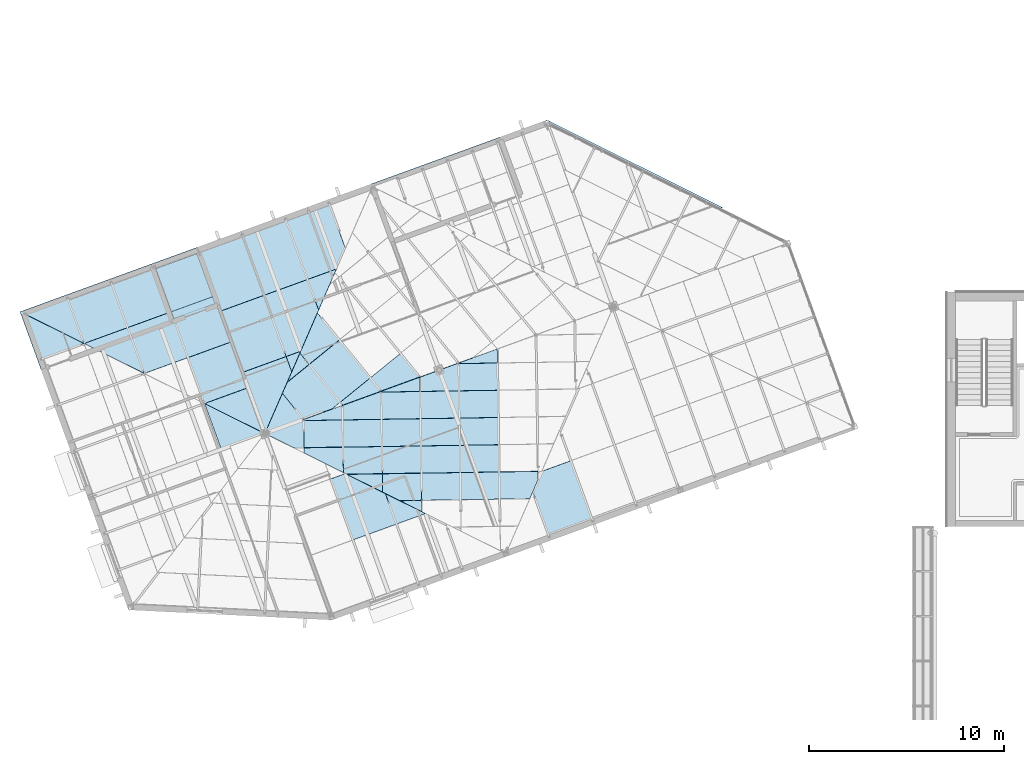
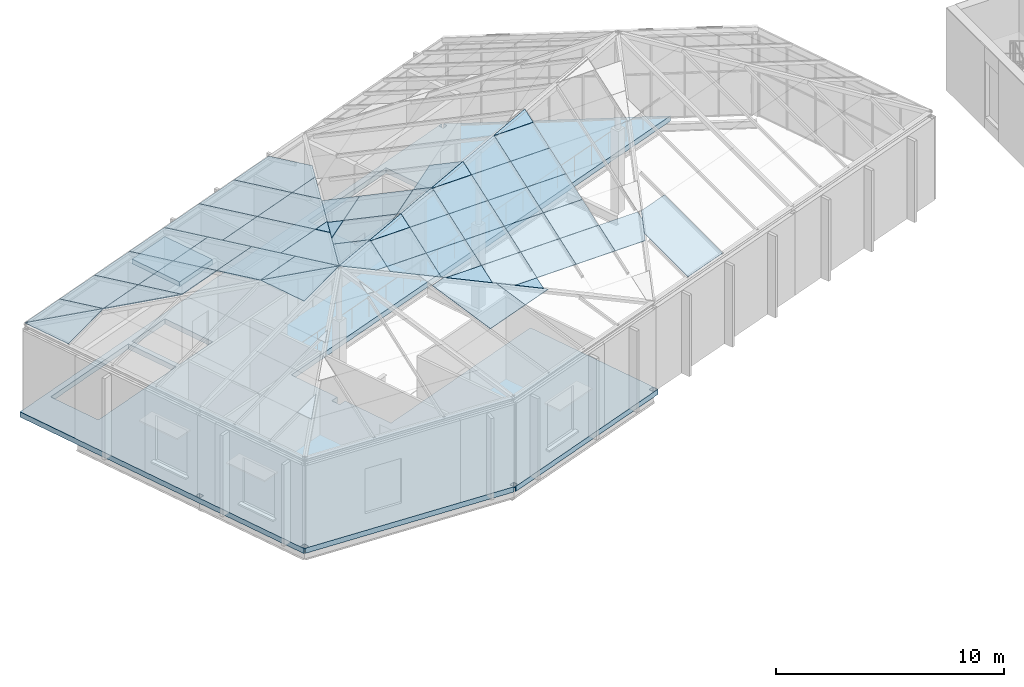
# One storey, part 40 of 95: 55 plates, 2 slabs.
"""IFC4 building model written with IfcOpenShell, lengths in metres."""

from ifc_helpers import new_model, si_unit, direction, frame, origin, place, context, subcontext, project, spatial, polyline, outline, extrude, material, layer, layer_set, type_object, element, save


model = new_model("IFC4")

# Units and contexts
model_context = context("Model", 3, precision=1e-05, world=origin(), true_north=direction((0.0, 1.0)))
body_context = subcontext(model_context, "Body", "Model", "MODEL_VIEW")
ifc_project = project(units=[si_unit("LENGTHUNIT", "METRE"), si_unit("AREAUNIT", "SQUARE_METRE"), si_unit("VOLUMEUNIT", "CUBIC_METRE"), si_unit("PLANEANGLEUNIT", "RADIAN"), si_unit("MASSUNIT", "GRAM", prefix="KILO")], contexts=[model_context])

# Site, building, storey
site_placement = place(None, origin())
site = spatial("IfcSite", under=ifc_project, at=site_placement, CompositionType="ELEMENT")
building_placement = place(site_placement, origin())
building = spatial("IfcBuilding", under=site, at=building_placement, Name="Windward Yard Aquatics Centre", CompositionType="ELEMENT")
storey_placement = place(building_placement, frame((0.0, 0.0, 9.39990234375)))
storey = spatial("IfcBuildingStorey", under=building, at=storey_placement, Name="L02", CompositionType="ELEMENT", Elevation=9.39990234375)

# Slabs
ifc_material_1 = material(Name="Concrete C40/50", Category="concrete")
ifc_layer_1 = layer(ifc_material_1, 0.280029296875)
ifc_layer_set_1 = layer_set([ifc_layer_1], Name="F floor slab 280 Concrete C40/50")
slab_type_1 = type_object("IfcSlabType", Name="F floor slab 280 Concrete C40/50", PredefinedType="FLOOR", material=ifc_layer_set_1)
slab_1_placement = place(storey_placement, frame((0.0, 0.0, -0.27978515625)))
element("IfcSlab", 1, at=slab_1_placement, inside=storey, type_object=slab_type_1, Name="F.SL.L02", PredefinedType="FLOOR", context=body_context, shape_type="SweptSolid", body=[
    extrude(outline(polyline([(4.533447265625, 94.98828125), (10.091064453125, 79.718505859375), (10.115966796875, 79.71728515625), (10.03515625, 79.939453125), (10.27392578125, 80.026123046875), (10.360595703125, 79.78759765625), (10.16162109375, 79.715087890625), (20.4111328125, 79.207763671875), (20.330322265625, 79.4296875), (20.569091796875, 79.5166015625), (20.656005859375, 79.278076171875), (20.456787109375, 79.20556640625), (20.51611328125, 79.20263671875), (29.612548828125, 82.513427734375), (27.11572265625, 89.373291015625), (18.188720703125, 86.1240234375), (17.290771484375, 88.5908203125), (16.9384765625, 88.46240234375), (16.784423828125, 88.88525390625), (17.136962890625, 89.013427734375), (16.239013671875, 91.480224609375), (40.529541015625, 100.3212890625), (31.597412109375, 104.7685546875), (31.669677734375, 104.5703125), (31.430908203125, 104.4833984375), (31.343994140625, 104.721923828125), (31.54443359375, 104.794921875), (31.51611328125, 104.80908203125), (4.533447265625, 94.98828125)]), holes=[polyline([(6.27099609375, 95.301513671875), (11.2373046875, 97.10888671875), (12.169189453125, 94.54833984375), (7.203125, 92.74072265625), (6.27099609375, 95.301513671875)]), polyline([(11.472412109375, 97.194580078125), (13.586669921875, 97.964111328125), (14.5185546875, 95.4033203125), (12.404296875, 94.6337890625), (11.472412109375, 97.194580078125)]), polyline([(22.74853515625, 101.298583984375), (27.73828125, 103.114990234375), (28.67041015625, 100.55419921875), (23.6806640625, 98.738037109375), (22.74853515625, 101.298583984375)]), polyline([(29.25732421875, 82.678955078125), (29.49609375, 82.765869140625), (29.5830078125, 82.527099609375), (29.34423828125, 82.440185546875), (29.25732421875, 82.678955078125)]), polyline([(7.983154296875, 85.577392578125), (8.2216796875, 85.664306640625), (8.30859375, 85.42578125), (8.06982421875, 85.3388671875), (7.983154296875, 85.577392578125)])]), origin(), (0.0, 0.0, 1.0), 0.27978515625),
])
ifc_layer_2 = layer(ifc_material_1, 0.25)
ifc_layer_set_2 = layer_set([ifc_layer_2], Name="F lift overrun slab 250 Concrete C40/50")
slab_type_2 = type_object("IfcSlabType", Name="F lift overrun slab 250 Concrete C40/50", PredefinedType="FLOOR", material=ifc_layer_set_2)
slab_2_placement = place(storey_placement, frame((0.0, 0.0, 4.150146484375)))
element("IfcSlab", 2, at=slab_2_placement, inside=storey, type_object=slab_type_2, Name="F.SL.LIFT", PredefinedType="FLOOR", context=body_context, shape_type="SweptSolid", body=[
    extrude(outline(polyline([(11.472412109375, 97.194580078125), (12.404296875, 94.6337890625), (14.5185546875, 95.4033203125), (13.586669921875, 97.964111328125), (11.472412109375, 97.194580078125)])), origin(), (0.0, 0.0, 1.0), 0.25),
])

# Plates
ifc_material_2 = material(Name="Laminated glass, low-e coated", Category="glass")
ifc_layer_3 = layer(ifc_material_2, 0.035888671875)
ifc_layer_set_3 = layer_set([ifc_layer_3], Name="F roof glass panel 36")
plate_type = type_object("IfcPlateType", Name="F roof glass panel 36", PredefinedType="SHEET", material=ifc_layer_set_3)
plate_1_placement = place(storey_placement, frame((30.799072265625, 85.764404296875, 5.962158203125), z_axis=(0.149288960859, -0.410066548939, 0.899754539642), x_axis=(0.376613718771, 0.864944211792, 0.331713155181)))
element("IfcPlate", 3, at=plate_1_placement, inside=storey, type_object=plate_type, Name="F.RF.G.01.007", PredefinedType="SHEET", context=body_context, shape_type="SweptSolid", body=[
    extrude(outline(polyline([(0.0, 0.0), (1.216797, 0.0), (2.243635, -1.201382), (-0.569065, -3.605481), (-2.109579, -1.803368), (0.0, 0.0)])), origin(), (0.0, 0.0, -1.0), 0.035888671875),
])
plate_2_placement = place(storey_placement, frame((13.6552734375, 98.146484375, 4.75048828125), z_axis=(-0.081408078423, 0.223673076529, 0.971258502976), x_axis=(0.939680067458, 0.34205463116, -1.1184528e-05)))
element("IfcPlate", 4, at=plate_2_placement, inside=storey, type_object=plate_type, Name="F.RF.G.06.001", PredefinedType="SHEET", context=body_context, shape_type="SweptSolid", body=[
    extrude(outline(polyline([(0.0, 0.0), (2.371051, 0.0), (2.370856, -3.427947), (-0.000112, -3.427724), (0.0, 0.0)])), origin(), (0.0, 0.0, -1.0), 0.035888671875),
])
plate_3_placement = place(storey_placement, frame((14.79541015625, 95.01416015625, 5.5673828125), z_axis=(-0.081362118128, 0.223546798146, 0.971291426284), x_axis=(0.939680066399, 0.342054634067, -1.1178593e-05)))
element("IfcPlate", 5, at=plate_3_placement, inside=storey, type_object=plate_type, Name="F.RF.G.06.002", PredefinedType="SHEET", context=body_context, shape_type="SweptSolid", body=[
    extrude(outline(polyline([(0.0, 0.0), (2.371051, 0.0), (2.370856, -3.427831), (-0.000112, -3.427608), (0.0, 0.0)])), origin(), (0.0, 0.0, -1.0), 0.035888671875),
])
plate_4_placement = place(storey_placement, frame((15.935302734375, 91.8818359375, 6.3837890625), z_axis=(-0.081437000043, 0.223672681654, 0.971256169353), x_axis=(0.939677843629, 0.342060740158, 1.5342557e-05)))
element("IfcPlate", 6, at=plate_4_placement, inside=storey, type_object=plate_type, Name="F.RF.G.06.003", PredefinedType="SHEET", context=body_context, shape_type="SweptSolid", body=[
    extrude(outline(polyline([(0.0, 0.0), (2.371051, 0.0), (2.371107, -0.855233), (-0.000111, -3.424775), (0.0, 0.0)])), origin(), (0.0, 0.0, -1.0), 0.035888671875),
])
plate_5_placement = place(storey_placement, frame((15.88720703125, 98.958740234375, 4.75048828125), z_axis=(-0.081411054018, 0.223668996972, 0.971259193046), x_axis=(0.939668359634, 0.342086792599, -1.5256682e-05)))
element("IfcPlate", 7, at=plate_5_placement, inside=storey, type_object=plate_type, Name="F.RF.G.06.004", PredefinedType="SHEET", context=body_context, shape_type="SweptSolid", body=[
    extrude(outline(polyline([(0.0, 0.0), (2.370822, 0.0), (2.370739, -3.428028), (-0.000229, -3.427724), (0.0, 0.0)])), origin(), (0.0, 0.0, -1.0), 0.035888671875),
])
plate_6_placement = place(storey_placement, frame((17.027099609375, 95.826416015625, 5.5673828125), z_axis=(-0.081359323966, 0.223548104645, 0.971291359641), x_axis=(0.939680316383, 0.342053947211, -1.4162898e-05)))
element("IfcPlate", 8, at=plate_6_placement, inside=storey, type_object=plate_type, Name="F.RF.G.06.005", PredefinedType="SHEET", context=body_context, shape_type="SweptSolid", body=[
    extrude(outline(polyline([(0.0, 0.0), (2.371051, 0.0), (2.371016, -1.712996), (0.788667, -3.427641), (-0.000112, -3.427608), (0.0, 0.0)])), origin(), (0.0, 0.0, -1.0), 0.035888671875),
])
plate_7_placement = place(storey_placement, frame((18.167236328125, 92.694091796875, 6.3837890625), z_axis=(-0.081503609786, 0.223838550149, 0.971212368671), x_axis=(0.939648035772, 0.342142614813, 0.0)))
element("IfcPlate", 9, at=plate_7_placement, inside=storey, type_object=plate_type, Name="F.RF.G.06.006", PredefinedType="SHEET", context=body_context, shape_type="SweptSolid", body=[
    extrude(outline(polyline([(0.0, 0.0), (0.78492, 0.0), (-0.000205, -0.850645), (0.0, 0.0)])), origin(), (0.0, 0.0, -1.0), 0.035888671875),
])
plate_8_placement = place(storey_placement, frame((18.118896484375, 99.77099609375, 4.75048828125), z_axis=(-0.081389310656, 0.223674762806, 0.971259687517), x_axis=(0.939670183301, 0.342081781515, -3.701675e-05)))
element("IfcPlate", 10, at=plate_8_placement, inside=storey, type_object=plate_type, Name="F.RF.G.06.007", PredefinedType="SHEET", context=body_context, shape_type="SweptSolid", body=[
    extrude(outline(polyline([(0.0, 0.0), (2.370822, 0.0), (2.370838, -2.570957), (1.580187, -3.427846), (-0.000229, -3.427724), (0.0, 0.0)])), origin(), (0.0, 0.0, -1.0), 0.035888671875),
])
plate_9_placement = place(storey_placement, frame((19.2587890625, 96.638916015625, 5.5673828125), z_axis=(-0.081334467555, 0.22355927699, 0.971290869956), x_axis=(0.939739160258, 0.341892250099, 0.0)))
element("IfcPlate", 11, at=plate_9_placement, inside=storey, type_object=plate_type, Name="F.RF.G.06.008", PredefinedType="SHEET", context=body_context, shape_type="SweptSolid", body=[
    extrude(outline(polyline([(0.0, 0.0), (1.576703, 0.0), (0.000216, -1.708712), (0.0, 0.0)])), origin(), (0.0, 0.0, -1.0), 0.035888671875),
])
plate_10_placement = place(storey_placement, frame((4.730712890625, 94.898193359375, 4.75048828125), z_axis=(-0.081393564523, 0.223623789689, 0.971271068415), x_axis=(0.939691052266, 0.342024452767, 0.0)))
element("IfcPlate", 12, at=plate_10_placement, inside=storey, type_object=plate_type, Name="F.RF.G.07.001", PredefinedType="SHEET", context=body_context, shape_type="SweptSolid", body=[
    extrude(outline(polyline([(0.0, 0.0), (2.368423, 0.0), (2.368261, -2.566814), (0.0, 0.0)])), origin(), (0.0, 0.0, -1.0), 0.035888671875),
])
plate_11_placement = place(storey_placement, frame((6.9599609375, 95.709716796875, 4.75048828125), z_axis=(-0.081381204155, 0.223632902475, 0.971270005993), x_axis=(0.939712222855, 0.341966282281, 0.0)))
element("IfcPlate", 13, at=plate_11_placement, inside=storey, type_object=plate_type, Name="F.RF.G.07.002", PredefinedType="SHEET", context=body_context, shape_type="SweptSolid", body=[
    extrude(outline(polyline([(0.0, 0.0), (2.370968, 0.0), (2.371188, -2.569845), (0.000221, -2.569845), (0.0, 0.0)])), origin(), (0.0, 0.0, -1.0), 0.035888671875),
])
plate_12_placement = place(storey_placement, frame((7.8173828125, 93.361328125, 5.363037109375), z_axis=(-0.081390992825, 0.223616724108, 0.971272910662), x_axis=(0.939691052266, 0.342024452767, 0.0)))
element("IfcPlate", 14, at=plate_12_placement, inside=storey, type_object=plate_type, Name="F.RF.G.07.003", PredefinedType="SHEET", context=body_context, shape_type="SweptSolid", body=[
    extrude(outline(polyline([(0.0, 0.0), (2.368423, 0.0), (2.36849, -2.566895), (0.0, 0.0)])), origin(), (0.0, 0.0, -1.0), 0.035888671875),
])
plate_13_placement = place(storey_placement, frame((9.191650390625, 96.52197265625, 4.75048828125), z_axis=(-0.081385841543, 0.223624230873, 0.971271614), x_axis=(0.939691771635, 0.342022476266, -7.111883e-06)))
element("IfcPlate", 15, at=plate_13_placement, inside=storey, type_object=plate_type, Name="F.RF.G.07.004", PredefinedType="SHEET", context=body_context, shape_type="SweptSolid", body=[
    extrude(outline(polyline([(0.0, 0.0), (2.371281, 0.0), (2.371035, -2.569987), (6.7e-05, -2.569845), (0.0, 0.0)])), origin(), (0.0, 0.0, -1.0), 0.035888671875),
])
for number, where, z_axis, x_axis, name in (
    (16, (10.046875, 94.172607421875, 5.363037109375), (-0.081405411462, 0.223632084588, 0.971268165713), (0.939679129941, 0.342057206844, 0.0), "F.RF.G.07.005"),
    (17, (11.423583984375, 97.334228515625, 4.75048828125), (-0.081405411462, 0.223632084588, 0.971268165713), (0.939679129941, 0.342057206844, 0.0), "F.RF.G.07.007"),
):
    element("IfcPlate", number, at=place(storey_placement, frame(where, z_axis=z_axis, x_axis=x_axis)), inside=storey, type_object=plate_type, Name=name, PredefinedType="SHEET", context=body_context, shape_type="SweptSolid", body=[
        extrude(outline(polyline([(0.0, 0.0), (2.371051, 0.0), (2.370801, -2.569764), (-0.00025, -2.569764), (0.0, 0.0)])), origin(), (0.0, 0.0, -1.0), 0.035888671875),
    ])
plate_14_placement = place(storey_placement, frame((12.278564453125, 94.985107421875, 5.363037109375), z_axis=(-0.081385841543, 0.223624230873, 0.971271614), x_axis=(0.939711626875, 0.341967919937, 7.112822e-06)))
element("IfcPlate", 18, at=plate_14_placement, inside=storey, type_object=plate_type, Name="F.RF.G.07.008", PredefinedType="SHEET", context=body_context, shape_type="SweptSolid", body=[
    extrude(outline(polyline([(0.0, 0.0), (2.370968, 0.0), (2.371188, -2.569845), (-9.2e-05, -2.569987), (0.0, 0.0)])), origin(), (0.0, 0.0, -1.0), 0.035888671875),
])
plate_15_placement = place(storey_placement, frame((13.133544921875, 92.6357421875, 5.9755859375), z_axis=(-0.081402842104, 0.2236250262, 0.971270006205), x_axis=(0.939679129941, 0.342057206844, 0.0)))
element("IfcPlate", 19, at=plate_15_placement, inside=storey, type_object=plate_type, Name="F.RF.G.07.009", PredefinedType="SHEET", context=body_context, shape_type="SweptSolid", body=[
    extrude(outline(polyline([(0.0, 0.0), (2.371051, 0.0), (2.37103, -2.569845), (-2.1e-05, -2.569845), (0.0, 0.0)])), origin(), (0.0, 0.0, -1.0), 0.035888671875),
])
plate_16_placement = place(storey_placement, frame((13.9912109375, 90.28759765625, 6.588134765625), z_axis=(-0.081378966747, 0.223651088592, 0.971266005965), x_axis=(0.939724179147, 0.341933424992, 0.0)))
element("IfcPlate", 20, at=plate_16_placement, inside=storey, type_object=plate_type, Name="F.RF.G.07.010", PredefinedType="SHEET", context=body_context, shape_type="SweptSolid", body=[
    extrude(outline(polyline([(0.0, 0.0), (2.36834, 0.0), (2.368502, -2.566591), (0.0, 0.0)])), origin(), (0.0, 0.0, -1.0), 0.035888671875),
])
plate_17_placement = place(storey_placement, frame((13.98974609375, 90.28369140625, 6.588134765625), z_axis=(-0.234678972987, -0.085408960257, 0.968313528329), x_axis=(0.881393038995, -0.438809018541, 0.17490842192)))
element("IfcPlate", 21, at=plate_17_placement, inside=storey, type_object=plate_type, Name="F.RF.G.08.004", PredefinedType="SHEET", context=body_context, shape_type="SweptSolid", body=[
    extrude(outline(polyline([(0.0, 0.0), (3.492341, 0.0), (1.779345, -1.745909), (0.0, 0.0)])), origin(), (0.0, 0.0, -1.0), 0.035888671875),
])
plate_18_placement = place(storey_placement, frame((4.729248046875, 94.89453125, 4.75048828125), z_axis=(-0.234686730458, -0.085411783508, 0.968311399182), x_axis=(0.881366000458, -0.438865462474, 0.174903056246)))
element("IfcPlate", 22, at=plate_18_placement, inside=storey, type_object=plate_type, Name="F.RF.G.08.010", PredefinedType="SHEET", context=body_context, shape_type="SweptSolid", body=[
    extrude(outline(polyline([(0.0, 0.0), (3.492448, 0.0), (1.779454, -1.745798), (0.0, 0.0)])), origin(), (0.0, 0.0, -1.0), 0.035888671875),
])
plate_19_placement = place(storey_placement, frame((23.250244140625, 85.6728515625, 5.973876953125), z_axis=(0.081378835152, -0.223543128884, 0.971290870295), x_axis=(0.881382746112, -0.438853627547, -0.174848358427)))
element("IfcPlate", 23, at=plate_19_placement, inside=storey, type_object=plate_type, Name="F.RF.G.11.003", PredefinedType="SHEET", context=body_context, shape_type="SweptSolid", body=[
    extrude(outline(polyline([(0.0, 0.0), (2.324838, 0.0), (1.255795, -1.15874), (0.0, 0.0)])), origin(), (0.0, 0.0, -1.0), 0.035888671875),
])
plate_20_placement = place(storey_placement, frame((20.447265625, 86.4296875, 6.3828125), z_axis=(0.081369856582, -0.22354005097, 0.971292330893), x_axis=(0.939727435577, 0.341924473766, -3.2608479e-05)))
element("IfcPlate", 24, at=plate_20_placement, inside=storey, type_object=plate_type, Name="F.RF.G.11.005", PredefinedType="SHEET", context=body_context, shape_type="SweptSolid", body=[
    extrude(outline(polyline([(0.0, 0.0), (0.789008, 0.0), (2.371369, -1.714572), (2.371353, -3.427487), (0.000302, -3.427831), (0.0, 0.0)])), origin(), (0.0, 0.0, -1.0), 0.035888671875),
])
plate_21_placement = place(storey_placement, frame((29.077880859375, 86.78173828125, 6.365966796875), z_axis=(0.005734806721, -0.360276592342, 0.932827898919), x_axis=(0.999872985399, 0.015937785218, 8.503853e-06)))
element("IfcPlate", 25, at=plate_21_placement, inside=storey, type_object=plate_type, Name="F.RF.G.12.012", PredefinedType="SHEET", context=body_context, shape_type="SweptSolid", body=[
    extrude(outline(polyline([(0.0, 0.0), (1.990976, 0.0), (1.99111, -0.434261), (1.542716, -1.491393), (4.2e-05, -1.491227), (0.0, 0.0)])), origin(), (0.0, 0.0, -1.0), 0.035888671875),
])
plate_22_placement = place(storey_placement, frame((27.0830078125, 86.75, 6.365966796875), z_axis=(0.005721385952, -0.360270592644, 0.93283029851), x_axis=(0.999873088825, 0.015931284693, 2.0275428e-05)))
element("IfcPlate", 26, at=plate_22_placement, inside=storey, type_object=plate_type, Name="F.RF.G.12.020", PredefinedType="SHEET", context=body_context, shape_type="SweptSolid", body=[
    extrude(outline(polyline([(0.0, 0.0), (1.99122, 0.0), (1.991017, -1.491452), (4.5e-05, -1.491227), (0.0, 0.0)])), origin(), (0.0, 0.0, -1.0), 0.035888671875),
])
plate_23_placement = place(storey_placement, frame((27.060791015625, 88.145263671875, 6.90478515625), z_axis=(0.005721385952, -0.360270592644, 0.93283029851), x_axis=(0.999874782628, 0.015824620888, -2.0929841e-05)))
element("IfcPlate", 27, at=plate_23_placement, inside=storey, type_object=plate_type, Name="F.RF.G.12.021", PredefinedType="SHEET", context=body_context, shape_type="SweptSolid", body=[
    extrude(outline(polyline([(0.0, 0.0), (1.991216, 0.0), (1.991187, -1.491224), (0.000211, -1.491455), (0.0, 0.0)])), origin(), (0.0, 0.0, -1.0), 0.035888671875),
])
plate_24_placement = place(storey_placement, frame((27.038818359375, 89.540283203125, 7.44384765625), z_axis=(0.005721743634, -0.360271023901, 0.93283012976), x_axis=(0.999874753926, 0.015826434762, -2.0605201e-05)))
element("IfcPlate", 28, at=plate_24_placement, inside=storey, type_object=plate_type, Name="F.RF.G.12.022", PredefinedType="SHEET", context=body_context, shape_type="SweptSolid", body=[
    extrude(outline(polyline([(0.0, 0.0), (1.990972, 0.0), (1.99094, -1.491224), (-3.5e-05, -1.491452), (0.0, 0.0)])), origin(), (0.0, 0.0, -1.0), 0.035888671875),
])
plate_25_placement = place(storey_placement, frame((27.0166015625, 90.935302734375, 7.982666015625), z_axis=(0.005699564895, -0.360243429231, 0.932840922481), x_axis=(0.999874878077, 0.015818602651, -3.25982e-07)))
element("IfcPlate", 29, at=plate_25_placement, inside=storey, type_object=plate_type, Name="F.RF.G.12.023", PredefinedType="SHEET", context=body_context, shape_type="SweptSolid", body=[
    extrude(outline(polyline([(0.0, 0.0), (1.990972, 0.0), (1.990936, -1.491452), (0.000209, -1.491455), (0.0, 0.0)])), origin(), (0.0, 0.0, -1.0), 0.035888671875),
])
plate_26_placement = place(storey_placement, frame((26.994384765625, 92.330322265625, 8.521484375), z_axis=(0.005721729759, -0.360270150247, 0.932830467261), x_axis=(0.999874753926, 0.015826434723, -2.0605158e-05)))
element("IfcPlate", 30, at=plate_26_placement, inside=storey, type_object=plate_type, Name="F.RF.G.12.024", PredefinedType="SHEET", context=body_context, shape_type="SweptSolid", body=[
    extrude(outline(polyline([(0.0, 0.0), (1.990972, 0.0), (1.991184, -1.491227), (0.000209, -1.491455), (0.0, 0.0)])), origin(), (0.0, 0.0, -1.0), 0.035888671875),
])
plate_27_placement = place(storey_placement, frame((26.993896484375, 92.359619140625, 8.532958984375), z_axis=(0.005723376274, -0.360233637335, 0.932844558057), x_axis=(0.932300565045, 0.339286431926, 0.125301131391)))
element("IfcPlate", 31, at=plate_27_placement, inside=storey, type_object=plate_type, Name="F.RF.G.12.025", PredefinedType="SHEET", context=body_context, shape_type="SweptSolid", body=[
    extrude(outline(polyline([(0.0, 0.0), (2.123496, 0.0), (1.857337, -0.717883), (-0.009383, -0.025539), (0.0, 0.0)])), origin(), (0.0, 0.0, -1.0), 0.035888671875),
])
plate_28_placement = place(storey_placement, frame((25.08837890625, 86.718505859375, 6.365966796875), z_axis=(0.005698866123, -0.360243440324, 0.932840922467), x_axis=(0.99987488206, 0.015818350891, 3.25943e-07)))
element("IfcPlate", 32, at=plate_28_placement, inside=storey, type_object=plate_type, Name="F.RF.G.12.027", PredefinedType="SHEET", context=body_context, shape_type="SweptSolid", body=[
    extrude(outline(polyline([(0.0, 0.0), (1.990972, 0.0), (1.99118, -1.491455), (-3.5e-05, -1.491452), (0.0, 0.0)])), origin(), (0.0, 0.0, -1.0), 0.035888671875),
])
plate_29_placement = place(storey_placement, frame((25.066162109375, 88.11328125, 6.90478515625), z_axis=(0.005721729759, -0.360270150247, 0.932830467261), x_axis=(0.999873059708, 0.015933111637, 2.0605118e-05)))
element("IfcPlate", 33, at=plate_29_placement, inside=storey, type_object=plate_type, Name="F.RF.G.12.028", PredefinedType="SHEET", context=body_context, shape_type="SweptSolid", body=[
    extrude(outline(polyline([(0.0, 0.0), (1.990976, 0.0), (1.991014, -1.491455), (4.2e-05, -1.491227), (0.0, 0.0)])), origin(), (0.0, 0.0, -1.0), 0.035888671875),
])
plate_30_placement = place(storey_placement, frame((25.0439453125, 89.508544921875, 7.44384765625), z_axis=(0.005721729759, -0.360270150247, 0.932830467261), x_axis=(0.999874753926, 0.015826434723, -2.0605158e-05)))
element("IfcPlate", 34, at=plate_30_placement, inside=storey, type_object=plate_type, Name="F.RF.G.12.029", PredefinedType="SHEET", context=body_context, shape_type="SweptSolid", body=[
    extrude(outline(polyline([(0.0, 0.0), (1.990972, 0.0), (1.991184, -1.491227), (0.000209, -1.491455), (0.0, 0.0)])), origin(), (0.0, 0.0, -1.0), 0.035888671875),
])
plate_31_placement = place(storey_placement, frame((25.021728515625, 90.903564453125, 7.982666015625), z_axis=(0.005743032197, -0.360242738856, 0.932840922496), x_axis=(0.999872962211, 0.015939242141, -3.28428e-07)))
element("IfcPlate", 35, at=plate_31_placement, inside=storey, type_object=plate_type, Name="F.RF.G.12.030", PredefinedType="SHEET", context=body_context, shape_type="SweptSolid", body=[
    extrude(outline(polyline([(0.0, 0.0), (1.99122, 0.0), (1.991017, -1.491452), (4.1e-05, -1.491455), (0.0, 0.0)])), origin(), (0.0, 0.0, -1.0), 0.035888671875),
])
plate_32_placement = place(storey_placement, frame((25.010009765625, 91.6376953125, 8.26611328125), z_axis=(0.005698188648, -0.360239591898, 0.932842412777), x_axis=(0.932323326972, 0.339222802499, 0.125304047217)))
element("IfcPlate", 36, at=plate_32_placement, inside=storey, type_object=plate_type, Name="F.RF.G.12.031", PredefinedType="SHEET", context=body_context, shape_type="SweptSolid", body=[
    extrude(outline(polyline([(0.0, 0.0), (2.037553, 0.0), (2.113308, -0.028159), (1.594647, -1.426279), (-0.272117, -0.734052), (0.0, 0.0)])), origin(), (0.0, 0.0, -1.0), 0.035888671875),
])
plate_33_placement = place(storey_placement, frame((23.996826171875, 85.3056640625, 5.8271484375), z_axis=(0.005710696005, -0.360487685289, 0.932746491125), x_axis=(0.999874545718, 0.015839596764, 0.0)))
element("IfcPlate", 37, at=plate_33_placement, inside=storey, type_object=plate_type, Name="F.RF.G.12.032", PredefinedType="SHEET", context=body_context, shape_type="SweptSolid", body=[
    extrude(outline(polyline([(0.0, 0.0), (1.109758, 0.0), (1.109687, -0.616221), (0.0, 0.0)])), origin(), (0.0, 0.0, -1.0), 0.035888671875),
])
plate_34_placement = place(storey_placement, frame((23.093505859375, 86.686767578125, 6.365966796875), z_axis=(0.005757784104, -0.36025016768, 0.932837962675), x_axis=(0.999874545207, 0.015839535136, -5.4528841e-05)))
element("IfcPlate", 38, at=plate_34_placement, inside=storey, type_object=plate_type, Name="F.RF.G.12.033", PredefinedType="SHEET", context=body_context, shape_type="SweptSolid", body=[
    extrude(outline(polyline([(0.0, 0.0), (1.990972, 0.0), (1.991184, -1.491227), (0.873611, -1.491362), (3.8e-05, -1.006637), (0.0, 0.0)])), origin(), (0.0, 0.0, -1.0), 0.035888671875),
])
plate_35_placement = place(storey_placement, frame((23.0712890625, 88.081787109375, 6.90478515625), z_axis=(0.005721729759, -0.360270150247, 0.932830467261), x_axis=(0.999874753926, 0.015826434723, -2.0605158e-05)))
element("IfcPlate", 39, at=plate_35_placement, inside=storey, type_object=plate_type, Name="F.RF.G.12.034", PredefinedType="SHEET", context=body_context, shape_type="SweptSolid", body=[
    extrude(outline(polyline([(0.0, 0.0), (1.990972, 0.0), (1.991184, -1.491227), (0.000209, -1.491455), (0.0, 0.0)])), origin(), (0.0, 0.0, -1.0), 0.035888671875),
])
plate_36_placement = place(storey_placement, frame((23.04931640625, 89.476806640625, 7.44384765625), z_axis=(0.005721743634, -0.360271023901, 0.93283012976), x_axis=(0.999874753926, 0.015826434762, -2.0605201e-05)))
element("IfcPlate", 40, at=plate_36_placement, inside=storey, type_object=plate_type, Name="F.RF.G.12.035", PredefinedType="SHEET", context=body_context, shape_type="SweptSolid", body=[
    extrude(outline(polyline([(0.0, 0.0), (1.990972, 0.0), (1.99094, -1.491224), (-3.5e-05, -1.491452), (0.0, 0.0)])), origin(), (0.0, 0.0, -1.0), 0.035888671875),
])
plate_37_placement = place(storey_placement, frame((23.027099609375, 90.871826171875, 7.982666015625), z_axis=(0.005743391259, -0.360243171712, 0.932840753125), x_axis=(0.999872933077, 0.015941069573, 0.0)))
element("IfcPlate", 41, at=plate_37_placement, inside=storey, type_object=plate_type, Name="F.RF.G.12.036", PredefinedType="SHEET", context=body_context, shape_type="SweptSolid", body=[
    extrude(outline(polyline([(0.0, 0.0), (1.990976, 0.0), (1.99077, -1.491452), (-0.000206, -1.491452), (0.0, 0.0)])), origin(), (0.0, 0.0, -1.0), 0.035888671875),
])
plate_38_placement = place(storey_placement, frame((23.0263671875, 90.91552734375, 7.99951171875), z_axis=(0.005747328033, -0.360343180483, 0.932802101466), x_axis=(0.932300680282, 0.339279170786, 0.125319933836)))
element("IfcPlate", 42, at=plate_38_placement, inside=storey, type_object=plate_type, Name="F.RF.G.12.037", PredefinedType="SHEET", context=body_context, shape_type="SweptSolid", body=[
    extrude(outline(polyline([(0.0, 0.0), (2.123496, 0.0), (1.851746, -0.732296), (-0.014746, -0.040041), (0.0, 0.0)])), origin(), (0.0, 0.0, -1.0), 0.035888671875),
])
plate_39_placement = place(storey_placement, frame((21.281005859375, 86.657958984375, 6.365966796875), z_axis=(0.005690411736, -0.360295471272, 0.932820879159), x_axis=(0.999875302272, 0.015791767058, 0.0)))
element("IfcPlate", 43, at=plate_39_placement, inside=storey, type_object=plate_type, Name="F.RF.G.12.038", PredefinedType="SHEET", context=body_context, shape_type="SweptSolid", body=[
    extrude(outline(polyline([(0.0, 0.0), (1.808819, 0.0), (1.808921, -1.004096), (0.0, 0.0)])), origin(), (0.0, 0.0, -1.0), 0.035888671875),
])
plate_40_placement = place(storey_placement, frame((21.07666015625, 88.050048828125, 6.90478515625), z_axis=(0.005748189192, -0.360231158533, 0.932845362717), x_axis=(0.999872904413, 0.015942866704, -4.653804e-06)))
element("IfcPlate", 44, at=plate_40_placement, inside=storey, type_object=plate_type, Name="F.RF.G.12.039", PredefinedType="SHEET", context=body_context, shape_type="SweptSolid", body=[
    extrude(outline(polyline([(0.0, 0.0), (1.990976, 0.0), (1.991014, -1.491455), (0.174375, -1.491542), (1.3e-05, -1.3946), (0.0, 0.0)])), origin(), (0.0, 0.0, -1.0), 0.035888671875),
])
plate_41_placement = place(storey_placement, frame((21.054443359375, 89.445068359375, 7.44384765625), z_axis=(0.005743032197, -0.360242738856, 0.932840922496), x_axis=(0.9998729351, 0.015940942726, 3.28468e-07)))
element("IfcPlate", 45, at=plate_41_placement, inside=storey, type_object=plate_type, Name="F.RF.G.12.040", PredefinedType="SHEET", context=body_context, shape_type="SweptSolid", body=[
    extrude(outline(polyline([(0.0, 0.0), (1.990976, 0.0), (1.991014, -1.491455), (-0.000206, -1.491452), (0.0, 0.0)])), origin(), (0.0, 0.0, -1.0), 0.035888671875),
])
plate_42_placement = place(storey_placement, frame((21.04248046875, 90.193603515625, 7.73291015625), z_axis=(0.005718319573, -0.360266071105, 0.932832063574), x_axis=(0.932292682777, 0.339299382122, 0.125324709983)))
element("IfcPlate", 46, at=plate_42_placement, inside=storey, type_object=plate_type, Name="F.RF.G.12.041", PredefinedType="SHEET", context=body_context, shape_type="SweptSolid", body=[
    extrude(outline(polyline([(0.0, 0.0), (1.993102, 0.0), (2.107798, -0.042539), (1.589163, -1.440915), (-0.277459, -0.748318), (0.0, 0.0)])), origin(), (0.0, 0.0, -1.0), 0.035888671875),
])
plate_43_placement = place(storey_placement, frame((19.081787109375, 88.018310546875, 6.90478515625), z_axis=(0.005777186908, -0.360197549, 0.932858161676), x_axis=(0.999872734253, 0.015953503109, -3.2200986e-05)))
element("IfcPlate", 47, at=plate_43_placement, inside=storey, type_object=plate_type, Name="F.RF.G.12.042", PredefinedType="SHEET", context=body_context, shape_type="SweptSolid", body=[
    extrude(outline(polyline([(0.0, 0.0), (1.990976, 0.0), (1.99102, -1.392515), (0.000128, -0.286849), (0.0, 0.0)])), origin(), (0.0, 0.0, -1.0), 0.035888671875),
])
plate_44_placement = place(storey_placement, frame((19.059814453125, 89.413330078125, 7.44384765625), z_axis=(0.005743736383, -0.360242727666, 0.932840922482), x_axis=(0.999872903934, 0.015942897438, 3.28548e-07)))
element("IfcPlate", 48, at=plate_44_placement, inside=storey, type_object=plate_type, Name="F.RF.G.12.043", PredefinedType="SHEET", context=body_context, shape_type="SweptSolid", body=[
    extrude(outline(polyline([(0.0, 0.0), (1.990732, 0.0), (1.990767, -1.491455), (-0.000209, -1.491452), (0.0, 0.0)])), origin(), (0.0, 0.0, -1.0), 0.035888671875),
])
plate_45_placement = place(storey_placement, frame((19.05859375, 89.471435546875, 7.46630859375), z_axis=(0.005772002437, -0.360194628007, 0.932859321625), x_axis=(0.932293168312, 0.339325134497, 0.125251352959)))
element("IfcPlate", 49, at=plate_45_placement, inside=storey, type_object=plate_type, Name="F.RF.G.12.044", PredefinedType="SHEET", context=body_context, shape_type="SweptSolid", body=[
    extrude(outline(polyline([(0.0, 0.0), (2.123775, 0.0), (1.846596, -0.746923), (-0.020028, -0.054331), (0.0, 0.0)])), origin(), (0.0, 0.0, -1.0), 0.035888671875),
])
plate_46_placement = place(storey_placement, frame((17.077880859375, 88.75048828125, 7.199951171875), z_axis=(0.005709515664, -0.360247720925, 0.932839204257), x_axis=(0.932292608863, 0.33929918314, 0.125325798541)))
element("IfcPlate", 50, at=plate_46_placement, inside=storey, type_object=plate_type, Name="F.RF.G.12.046", PredefinedType="SHEET", context=body_context, shape_type="SweptSolid", body=[
    extrude(outline(polyline([(0.0, 0.0), (1.945703, 0.0), (2.099341, -0.056913), (1.580706, -1.455289), (1.092624, -1.274255), (0.0, 0.0)])), origin(), (0.0, 0.0, -1.0), 0.035888671875),
])
plate_47_placement = place(storey_placement, frame((17.07666015625, 88.75439453125, 7.199951171875), z_axis=(-0.227134248266, 0.279664701898, 0.932843871061), x_axis=(0.393101329641, 0.902704965389, -0.174914522258)))
element("IfcPlate", 51, at=plate_47_placement, inside=storey, type_object=plate_type, Name="F.RF.G.13.001", PredefinedType="SHEET", context=body_context, shape_type="SweptSolid", body=[
    extrude(outline(polyline([(0.0, 0.0), (2.273711, 0.0), (1.380104, -1.609748), (0.0, 0.0)])), origin(), (0.0, 0.0, -1.0), 0.035888671875),
])
plate_48_placement = place(storey_placement, frame((18.224365234375, 91.389892578125, 6.689208984375), z_axis=(-0.227205874047, 0.279671117837, 0.932824504742), x_axis=(0.393082050783, 0.902715765068, -0.174902112194)))
element("IfcPlate", 52, at=plate_48_placement, inside=storey, type_object=plate_type, Name="F.RF.G.13.002", PredefinedType="SHEET", context=body_context, shape_type="SweptSolid", body=[
    extrude(outline(polyline([(0.0, 0.0), (1.63596, 0.0), (1.250482, -0.694244), (0.0, 0.0)])), origin(), (0.0, 0.0, -1.0), 0.035888671875),
])
plate_49_placement = place(storey_placement, frame((17.97216796875, 90.81103515625, 6.801513671875), z_axis=(-0.22712558836, 0.279630424653, 0.932856255122), x_axis=(0.393251699589, 0.902655597437, -0.174831270615)))
element("IfcPlate", 53, at=plate_49_placement, inside=storey, type_object=plate_type, Name="F.RF.G.13.003", PredefinedType="SHEET", context=body_context, shape_type="SweptSolid", body=[
    extrude(outline(polyline([(0.0, 0.0), (0.632625, 0.0), (1.889954, -0.697626), (0.585595, -3.047935), (0.107879, -2.782808), (-0.89536, -1.613283), (0.0, 0.0)])), origin(), (0.0, 0.0, -1.0), 0.035888671875),
])
plate_50_placement = place(storey_placement, frame((18.869140625, 92.870849609375, 6.40234375), z_axis=(-0.227167719045, 0.279602876044, 0.93285425396), x_axis=(0.393129707757, 0.902708443315, -0.174832775096)))
element("IfcPlate", 54, at=plate_50_placement, inside=storey, type_object=plate_type, Name="F.RF.G.13.005", PredefinedType="SHEET", context=body_context, shape_type="SweptSolid", body=[
    extrude(outline(polyline([(0.0, 0.0), (2.277237, 0.0), (1.354379, -1.662469), (-0.386526, -0.696365), (0.0, 0.0)])), origin(), (0.0, 0.0, -1.0), 0.035888671875),
])
plate_51_placement = place(storey_placement, frame((19.340087890625, 92.291259765625, 6.69091796875), z_axis=(-0.227152295797, 0.279611135015, 0.932855534201), x_axis=(0.776178345133, 0.630513422837, 1.2991554e-05)))
element("IfcPlate", 55, at=plate_51_placement, inside=storey, type_object=plate_type, Name="F.RF.G.13.006", PredefinedType="SHEET", context=body_context, shape_type="SweptSolid", body=[
    extrude(outline(polyline([(0.0, 0.0), (1.991042, 0.0), (1.991038, -2.687673), (0.000186, -2.687816), (0.0, 0.0)])), origin(), (0.0, 0.0, -1.0), 0.035888671875),
])
plate_52_placement = place(storey_placement, frame((20.923583984375, 90.342041015625, 7.660888671875), z_axis=(-0.227173047082, 0.279633288967, 0.932843840297), x_axis=(0.776177859063, 0.630514021158, 1.4986265e-05)))
element("IfcPlate", 56, at=plate_52_placement, inside=storey, type_object=plate_type, Name="F.RF.G.13.007", PredefinedType="SHEET", context=body_context, shape_type="SweptSolid", body=[
    extrude(outline(polyline([(0.0, 0.0), (1.991042, 0.0), (1.9911, -0.938448), (5.6e-05, -0.199986), (0.0, 0.0)])), origin(), (0.0, 0.0, -1.0), 0.035888671875),
])
plate_53_placement = place(storey_placement, frame((22.47216796875, 91.599853515625, 7.660888671875), z_axis=(-0.22715820829, 0.279605197257, 0.932855874224), x_axis=(0.776134026076, 0.630567976938, -5.219262e-06)))
element("IfcPlate", 57, at=plate_53_placement, inside=storey, type_object=plate_type, Name="F.RF.G.13.011", PredefinedType="SHEET", context=body_context, shape_type="SweptSolid", body=[
    extrude(outline(polyline([(0.0, 0.0), (1.990853, 0.0), (1.99097, -1.678687), (-0.000211, -0.939938), (0.0, 0.0)])), origin(), (0.0, 0.0, -1.0), 0.035888671875),
])

save(model, "model.ifc")
